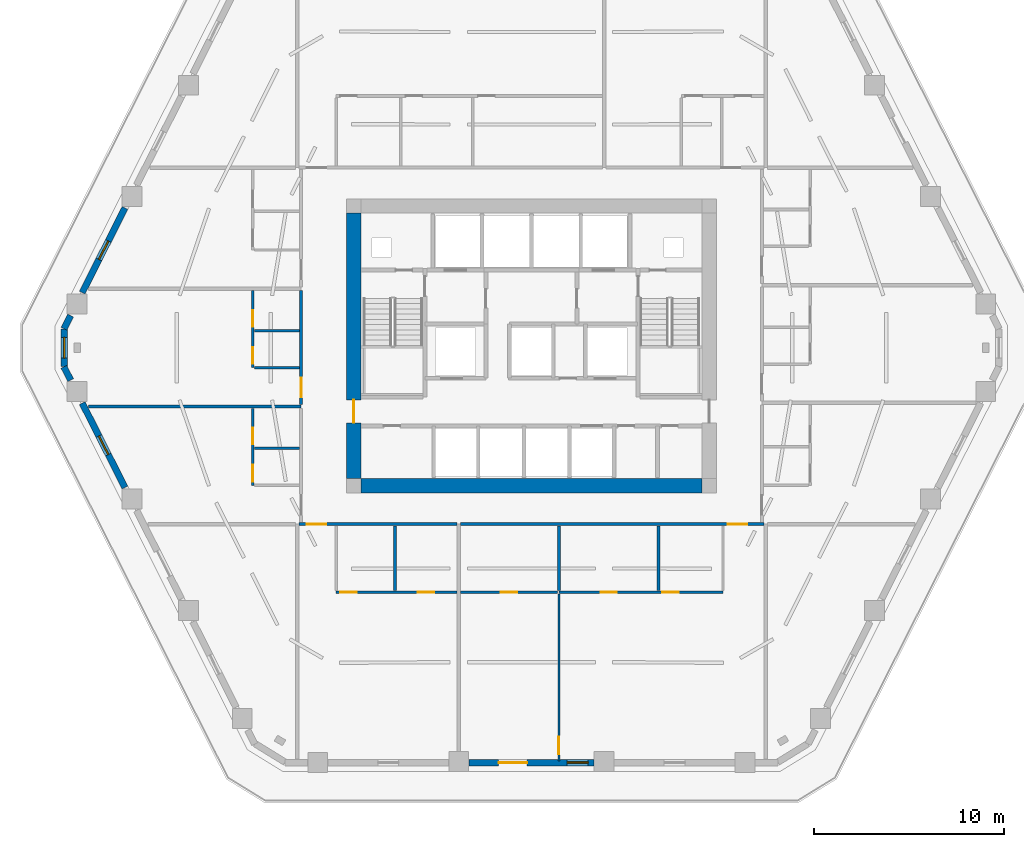
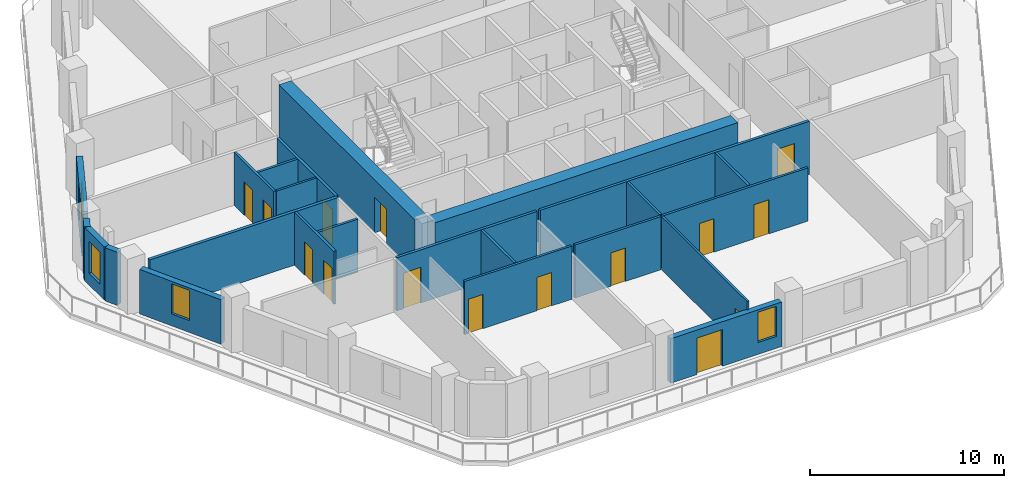
# One storey, part 3 of 10: 24 walls, 15 doors, 4 windows, 19 openings.
"""IFC4 building model written with IfcOpenShell, lengths in metres."""

from ifc_helpers import new_model, si_unit, direction, frame, frame_2d, origin, place, context, subcontext, project, spatial, rectangle, extrude, material, layer, layer_set, type_object, element, fill, save


model = new_model("IFC4")

# Units and contexts
model_context = context("Model", 3, precision=1e-05, world=origin(), true_north=direction((0.0, 1.0)))
body_context = subcontext(model_context, "Body", "Model", "MODEL_VIEW")
ifc_project = project(units=[si_unit("LENGTHUNIT", "METRE"), si_unit("AREAUNIT", "SQUARE_METRE"), si_unit("VOLUMEUNIT", "CUBIC_METRE"), si_unit("PLANEANGLEUNIT", "RADIAN"), si_unit("MASSUNIT", "GRAM", prefix="KILO")], contexts=[model_context])

# Site, building, storey
site_placement = place(None, origin())
site = spatial("IfcSite", under=ifc_project, at=site_placement, CompositionType="ELEMENT")
building_placement = place(site_placement, origin())
building = spatial("IfcBuilding", under=site, at=building_placement, Name="Cinnabar Lancet Tower", CompositionType="ELEMENT")
storey_placement = place(building_placement, frame((0.0, 0.0, 98.39990234375)))
storey = spatial("IfcBuildingStorey", under=building, at=storey_placement, Name="L25", CompositionType="ELEMENT", Elevation=98.39990234375)

# Wall, opening, door
ifc_material_1 = material(Name="Acoustic twin-stud gypsum partition", Category="gypsum")
ifc_layer_1 = layer(ifc_material_1, 0.159912109375)
ifc_layer_set_1 = layer_set([ifc_layer_1], Name="Acoustic twin-stud gypsum partition")
wall_type_1 = type_object("IfcWallType", Name="ARC-WL-CORR-160", PredefinedType="PARTITIONING", material=ifc_layer_set_1)
wall_1_placement = place(storey_placement, frame((20.14501953125, 16.5, 0.0), z_axis=(0.0, 0.0, 1.0), x_axis=(1.0, 0.0, 0.0)))
wall_1 = element("IfcWall", 1, at=wall_1_placement, inside=storey, type_object=wall_type_1, Name="L25 Unit S01 Corridor Wall", PredefinedType="PARTITIONING", context=body_context, shape_type="SweptSolid", body=[
    extrude(rectangle(XDim=8.327880859375, YDim=0.159912109375, at=frame_2d((4.1640625, 0.0))), origin(), (0.0, 0.0, 1.0), 3.340087890625),
])
opening_1_placement = place(wall_1_placement, frame((0.405029296875, 0.0, 0.0)))
opening_1 = element("IfcOpeningElement", 2, at=opening_1_placement, cuts=wall_1, Name="Opening UD-01", PredefinedType="OPENING", context=body_context, shape_type="SweptSolid", body=[
    extrude(rectangle(XDim=1.02001953125, YDim=2.25, at=frame_2d((0.510009765625, 1.125))), frame((0.0, 0.08984375, 0.0), z_axis=(0.0, -1.0, 0.0), x_axis=(1.0, 0.0, 0.0)), (0.0, 0.0, 1.0), 0.179931640625),
])
ifc_material_2 = material(Name="Solid timber fire-rated apartment entrance door", Category="wood")
door_type_1 = type_object("IfcDoorType", Name="ARC-DR-UNIT", OperationType="NOTDEFINED", PredefinedType="DOOR", material=ifc_material_2)
door_1_placement = place(opening_1_placement, origin())
door_1 = element("IfcDoor", 3, at=door_1_placement, inside=storey, type_object=door_type_1, Name="DR-L25-S01-ENT", OperationType="SINGLE_SWING_RIGHT", OverallHeight=2.25, OverallWidth=1.02001953125, PredefinedType="DOOR", context=body_context, shape_type="SweptSolid", body=[
    extrude(rectangle(XDim=1.02001953125, YDim=2.25, at=frame_2d((0.510009765625, 1.125))), frame((0.0, 0.02490234375, 0.0), z_axis=(0.0, -1.0, 0.0), x_axis=(1.0, 0.0, 0.0)), (0.0, 0.0, 1.0), 0.050048828125),
])
fill(opening_1, door_1)

wall_2_placement = place(storey_placement, frame((28.6630859375, 16.5, 0.0), z_axis=(0.0, 0.0, 1.0), x_axis=(1.0, 0.0, 0.0)))
wall_2 = element("IfcWall", 4, at=wall_2_placement, inside=storey, type_object=wall_type_1, Name="L25 Unit S02 Corridor Wall", PredefinedType="PARTITIONING", context=body_context, shape_type="SweptSolid", body=[
    extrude(rectangle(XDim=15.991943359375, YDim=0.159912109375, at=frame_2d((7.99609375, 0.0))), origin(), (0.0, 0.0, 1.0), 3.340087890625),
])
opening_2_placement = place(wall_2_placement, frame((14.0869140625, 0.0, 0.0)))
opening_2 = element("IfcOpeningElement", 5, at=opening_2_placement, cuts=wall_2, Name="Opening UD-01", PredefinedType="OPENING", context=body_context, shape_type="SweptSolid", body=[
    extrude(rectangle(XDim=1.02001953125, YDim=2.25, at=frame_2d((0.510009765625, 1.125))), frame((0.0, 0.08984375, 0.0), z_axis=(0.0, -1.0, 0.0), x_axis=(1.0, 0.0, 0.0)), (0.0, 0.0, 1.0), 0.179931640625),
])
door_2_placement = place(opening_2_placement, origin())
door_2 = element("IfcDoor", 6, at=door_2_placement, inside=storey, type_object=door_type_1, Name="DR-L25-S02-ENT", OperationType="SINGLE_SWING_LEFT", OverallHeight=2.25, OverallWidth=1.02001953125, PredefinedType="DOOR", context=body_context, shape_type="SweptSolid", body=[
    extrude(rectangle(XDim=1.02001953125, YDim=2.25, at=frame_2d((0.510009765625, 1.125))), frame((0.0, 0.02490234375, 0.0), z_axis=(0.0, -1.0, 0.0), x_axis=(1.0, 0.0, 0.0)), (0.0, 0.0, 1.0), 0.050048828125),
])
fill(opening_2, door_2)

wall_3_placement = place(storey_placement, frame((20.25, 22.799072265625, 0.0), z_axis=(0.0, 0.0, 1.0), x_axis=(0.0, 1.0, 0.0)))
wall_3 = element("IfcWall", 7, at=wall_3_placement, inside=storey, type_object=wall_type_1, Name="UW-L25-W02-COR", PredefinedType="PARTITIONING", context=body_context, shape_type="SweptSolid", body=[
    extrude(rectangle(XDim=6.013916015625, YDim=0.159912109375, at=frame_2d((3.0068359375, 0.0))), origin(), (0.0, 0.0, 1.0), 3.340087890625),
])
opening_3_placement = place(wall_3_placement, frame((0.39990234375, 0.0, 0.0)))
opening_3 = element("IfcOpeningElement", 8, at=opening_3_placement, cuts=wall_3, Name="Opening UD-01", PredefinedType="OPENING", context=body_context, shape_type="SweptSolid", body=[
    extrude(rectangle(XDim=1.02001953125, YDim=2.25, at=frame_2d((0.510009765625, 1.125))), frame((0.0, 0.08984375, 0.0), z_axis=(0.0, -1.0, 0.0), x_axis=(1.0, 0.0, 0.0)), (0.0, 0.0, 1.0), 0.179931640625),
])
door_3_placement = place(opening_3_placement, origin())
door_3 = element("IfcDoor", 9, at=door_3_placement, inside=storey, type_object=door_type_1, Name="DR-L25-W02-ENT", OperationType="SINGLE_SWING_LEFT", OverallHeight=2.25, OverallWidth=1.02001953125, PredefinedType="DOOR", context=body_context, shape_type="SweptSolid", body=[
    extrude(rectangle(XDim=1.02001953125, YDim=2.25, at=frame_2d((0.510009765625, 1.125))), frame((0.0, 0.02490234375, 0.0), z_axis=(0.0, -1.0, 0.0), x_axis=(1.0, 0.0, 0.0)), (0.0, 0.0, 1.0), 0.050048828125),
])
fill(opening_3, door_3)

# Wall
ifc_material_3 = material(Name="Fire-rated twin-frame acoustic drywall", Category="gypsum")
ifc_layer_2 = layer(ifc_material_3, 0.179931640625)
ifc_layer_set_2 = layer_set([ifc_layer_2], Name="Fire-rated twin-frame acoustic drywall")
wall_type_2 = type_object("IfcWallType", Name="ARC-WL-PARTY-180", PredefinedType="PARTITIONING", material=ifc_layer_set_2)
wall_4_placement = place(storey_placement, frame((9.0458984375, 22.7041015625, 0.0), z_axis=(0.0, 0.0, 1.0), x_axis=(1.0, 0.0, 0.0)))
element("IfcWall", 10, at=wall_4_placement, inside=storey, type_object=wall_type_2, Name="PW-L25-WPTY-1", PredefinedType="PARTITIONING", context=body_context, shape_type="SweptSolid", body=[
    extrude(rectangle(XDim=11.2041015625, YDim=0.179931640625, at=frame_2d((5.60205078125, 0.0))), origin(), (0.0, 0.0, 1.0), 3.340087890625),
])

# Wall, opening, door
ifc_material_4 = material(Name="Gypsum plasterboard stud partition", Category="gypsum")
ifc_layer_3 = layer(ifc_material_4, 0.125)
ifc_layer_set_3 = layer_set([ifc_layer_3], Name="Gypsum plasterboard stud partition")
wall_type_3 = type_object("IfcWallType", Name="ARC-WL-UNIT-125", PredefinedType="PARTITIONING", material=ifc_layer_set_3)
wall_5_placement = place(storey_placement, frame((33.85009765625, 4.014892578125, 0.0), z_axis=(0.0, 0.0, 1.0), x_axis=(0.0, 1.0, 0.0)))
wall_5 = element("IfcWall", 11, at=wall_5_placement, inside=storey, type_object=wall_type_3, Name="UW-L25-S02-MBW", PredefinedType="PARTITIONING", context=body_context, shape_type="SweptSolid", body=[
    extrude(rectangle(XDim=8.815185546875, YDim=0.125, at=frame_2d((4.40771484375, 0.0))), origin(), (0.0, 0.0, 1.0), 3.340087890625),
])
opening_4_placement = place(wall_5_placement, frame((0.35009765625, 0.0, 0.0)))
opening_4 = element("IfcOpeningElement", 12, at=opening_4_placement, cuts=wall_5, Name="Opening RD-01", PredefinedType="OPENING", context=body_context, shape_type="SweptSolid", body=[
    extrude(rectangle(XDim=0.919921875, YDim=2.14990234375, at=frame_2d((0.4599609375, 1.074951171875))), frame((0.0, 0.072509765625, 0.0), z_axis=(0.0, -1.0, 0.0), x_axis=(1.0, 0.0, 0.0)), (0.0, 0.0, 1.0), 0.14501953125),
])
ifc_material_5 = material(Name="Engineered timber bedroom door", Category="wood")
door_type_2 = type_object("IfcDoorType", Name="ARC-DR-ROOM", OperationType="NOTDEFINED", PredefinedType="DOOR", material=ifc_material_5)
door_4_placement = place(opening_4_placement, origin())
door_4 = element("IfcDoor", 13, at=door_4_placement, inside=storey, type_object=door_type_2, Name="DR-L25-S02-MBD", OperationType="SINGLE_SWING_RIGHT", OverallHeight=2.14990234375, OverallWidth=0.919921875, PredefinedType="DOOR", context=body_context, shape_type="SweptSolid", body=[
    extrude(rectangle(XDim=0.919921875, YDim=2.14990234375, at=frame_2d((0.4599609375, 1.074951171875))), frame((0.0, 0.02490234375, 0.0), z_axis=(0.0, -1.0, 0.0), x_axis=(1.0, 0.0, 0.0)), (0.0, 0.0, 1.0), 0.050048828125),
])
fill(opening_4, door_4)

# Wall
wall_6_placement = place(storey_placement, frame((17.784912109375, 24.75390625, 0.0), z_axis=(0.0, 0.0, 1.0), x_axis=(1.0, 0.0, 0.0)))
element("IfcWall", 14, at=wall_6_placement, inside=storey, type_object=wall_type_3, Name="UW-L25-W02-FOYN", PredefinedType="PARTITIONING", context=body_context, shape_type="SweptSolid", body=[
    extrude(rectangle(XDim=2.380126953125, YDim=0.125, at=frame_2d((1.18994140625, 0.0))), origin(), (0.0, 0.0, 1.0), 3.340087890625),
])

# Wall, openings, doors
ifc_material_6 = material(Name="Moisture-resistant cement-board plumbing wall", Category="masonry")
ifc_layer_4 = layer(ifc_material_6, 0.139892578125)
ifc_layer_set_4 = layer_set([ifc_layer_4], Name="Moisture-resistant cement-board plumbing wall")
wall_type_4 = type_object("IfcWallType", Name="ARC-WL-WET-140", PredefinedType="PLUMBINGWALL", material=ifc_layer_set_4)
wall_7_placement = place(storey_placement, frame((22.10009765625, 12.905029296875, 0.0), z_axis=(0.0, 0.0, 1.0), x_axis=(1.0, 0.0, 0.0)))
wall_7 = element("IfcWall", 15, at=wall_7_placement, inside=storey, type_object=wall_type_4, Name="UW-L25-S01-SPL", PredefinedType="PLUMBINGWALL", context=body_context, shape_type="SweptSolid", body=[
    extrude(rectangle(XDim=6.372802734375, YDim=0.139892578125, at=frame_2d((3.1865234375, 0.0))), origin(), (0.0, 0.0, 1.0), 3.340087890625),
])
opening_5_placement = place(wall_7_placement, frame((4.31396484375, 0.0, 0.0)))
opening_5 = element("IfcOpeningElement", 16, at=opening_5_placement, cuts=wall_7, Name="Opening BD-01", PredefinedType="OPENING", context=body_context, shape_type="SweptSolid", body=[
    extrude(rectangle(XDim=0.860107421875, YDim=2.10009765625, at=frame_2d((0.43017578125, 1.050048828125))), frame((0.0, 0.079833984375, 0.0), z_axis=(0.0, -1.0, 0.0), x_axis=(1.0, 0.0, 0.0)), (0.0, 0.0, 1.0), 0.159912109375),
])
opening_6_placement = place(wall_7_placement, frame((0.219970703125, 0.0, 0.0)))
opening_6 = element("IfcOpeningElement", 17, at=opening_6_placement, cuts=wall_7, Name="Opening RD-02", PredefinedType="OPENING", context=body_context, shape_type="SweptSolid", body=[
    extrude(rectangle(XDim=0.8798828125, YDim=2.14990234375, at=frame_2d((0.43994140625, 1.074951171875))), frame((0.0, 0.079833984375, 0.0), z_axis=(0.0, -1.0, 0.0), x_axis=(1.0, 0.0, 0.0)), (0.0, 0.0, 1.0), 0.159912109375),
])
ifc_material_7 = material(Name="Moisture-resistant timber bathroom door", Category="wood")
door_type_3 = type_object("IfcDoorType", Name="ARC-DR-BATH", OperationType="NOTDEFINED", PredefinedType="DOOR", material=ifc_material_7)
door_5_placement = place(opening_5_placement, origin())
door_5 = element("IfcDoor", 18, at=door_5_placement, inside=storey, type_object=door_type_3, Name="DR-L25-S01-BTH", OperationType="SINGLE_SWING_RIGHT", OverallHeight=2.10009765625, OverallWidth=0.860107421875, PredefinedType="DOOR", context=body_context, shape_type="SweptSolid", body=[
    extrude(rectangle(XDim=0.860107421875, YDim=2.10009765625, at=frame_2d((0.43017578125, 1.050048828125))), frame((0.0, 0.02490234375, 0.0), z_axis=(0.0, -1.0, 0.0), x_axis=(1.0, 0.0, 0.0)), (0.0, 0.0, 1.0), 0.050048828125),
])
fill(opening_5, door_5)
ifc_material_8 = material(Name="Engineered timber study door", Category="wood")
door_type_4 = type_object("IfcDoorType", Name="ARC-DR-STUDY", OperationType="NOTDEFINED", PredefinedType="DOOR", material=ifc_material_8)
door_6_placement = place(opening_6_placement, origin())
door_6 = element("IfcDoor", 19, at=door_6_placement, inside=storey, type_object=door_type_4, Name="DR-L25-S01-KIT", OperationType="SINGLE_SWING_LEFT", OverallHeight=2.14990234375, OverallWidth=0.8798828125, PredefinedType="DOOR", context=body_context, shape_type="SweptSolid", body=[
    extrude(rectangle(XDim=0.8798828125, YDim=2.14990234375, at=frame_2d((0.43994140625, 1.074951171875))), frame((0.0, 0.02490234375, 0.0), z_axis=(0.0, -1.0, 0.0), x_axis=(1.0, 0.0, 0.0)), (0.0, 0.0, 1.0), 0.050048828125),
])
fill(opening_6, door_6)

# Wall
wall_8_placement = place(storey_placement, frame((25.205078125, 13.010009765625, 0.0), z_axis=(0.0, 0.0, 1.0), x_axis=(0.0, 1.0, 0.0)))
element("IfcWall", 20, at=wall_8_placement, inside=storey, type_object=wall_type_4, Name="UW-L25-S01-KDV", PredefinedType="PLUMBINGWALL", context=body_context, shape_type="SweptSolid", body=[
    extrude(rectangle(XDim=3.405029296875, YDim=0.139892578125, at=frame_2d((1.70263671875, 0.0))), origin(), (0.0, 0.0, 1.0), 3.340087890625),
])

# Wall, openings, doors
wall_9_placement = place(storey_placement, frame((33.85009765625, 12.905029296875, 0.0), z_axis=(0.0, 0.0, 1.0), x_axis=(1.0, 0.0, 0.0)))
wall_9 = element("IfcWall", 21, at=wall_9_placement, inside=storey, type_object=wall_type_4, Name="UW-L25-S02-SPL", PredefinedType="PLUMBINGWALL", context=body_context, shape_type="SweptSolid", body=[
    extrude(rectangle(XDim=8.64990234375, YDim=0.139892578125, at=frame_2d((4.324951171875, 0.0))), origin(), (0.0, 0.0, 1.0), 3.340087890625),
])
opening_7_placement = place(wall_9_placement, frame((2.199951171875, 0.0, 0.0)))
opening_7 = element("IfcOpeningElement", 22, at=opening_7_placement, cuts=wall_9, Name="Opening BD-01", PredefinedType="OPENING", context=body_context, shape_type="SweptSolid", body=[
    extrude(rectangle(XDim=0.860107421875, YDim=2.10009765625, at=frame_2d((0.43017578125, 1.050048828125))), frame((0.0, 0.079833984375, 0.0), z_axis=(0.0, -1.0, 0.0), x_axis=(1.0, 0.0, 0.0)), (0.0, 0.0, 1.0), 0.159912109375),
])
opening_8_placement = place(wall_9_placement, frame((5.449951171875, 0.0, 0.0)))
opening_8 = element("IfcOpeningElement", 23, at=opening_8_placement, cuts=wall_9, Name="Opening RD-02", PredefinedType="OPENING", context=body_context, shape_type="SweptSolid", body=[
    extrude(rectangle(XDim=0.8798828125, YDim=2.14990234375, at=frame_2d((0.43994140625, 1.074951171875))), frame((0.0, 0.079833984375, 0.0), z_axis=(0.0, -1.0, 0.0), x_axis=(1.0, 0.0, 0.0)), (0.0, 0.0, 1.0), 0.159912109375),
])
door_7_placement = place(opening_7_placement, origin())
door_7 = element("IfcDoor", 24, at=door_7_placement, inside=storey, type_object=door_type_3, Name="DR-L25-S02-BTH", OperationType="SINGLE_SWING_RIGHT", OverallHeight=2.10009765625, OverallWidth=0.860107421875, PredefinedType="DOOR", context=body_context, shape_type="SweptSolid", body=[
    extrude(rectangle(XDim=0.860107421875, YDim=2.10009765625, at=frame_2d((0.43017578125, 1.050048828125))), frame((0.0, 0.02490234375, 0.0), z_axis=(0.0, -1.0, 0.0), x_axis=(1.0, 0.0, 0.0)), (0.0, 0.0, 1.0), 0.050048828125),
])
fill(opening_7, door_7)
door_8_placement = place(opening_8_placement, origin())
door_8 = element("IfcDoor", 25, at=door_8_placement, inside=storey, type_object=door_type_4, Name="DR-L25-S02-KIT", OperationType="SINGLE_SWING_LEFT", OverallHeight=2.14990234375, OverallWidth=0.8798828125, PredefinedType="DOOR", context=body_context, shape_type="SweptSolid", body=[
    extrude(rectangle(XDim=0.8798828125, YDim=2.14990234375, at=frame_2d((0.43994140625, 1.074951171875))), frame((0.0, 0.02490234375, 0.0), z_axis=(0.0, -1.0, 0.0), x_axis=(1.0, 0.0, 0.0)), (0.0, 0.0, 1.0), 0.050048828125),
])
fill(opening_8, door_8)

# Wall, opening, door
wall_10_placement = place(storey_placement, frame((28.6630859375, 12.905029296875, 0.0), z_axis=(0.0, 0.0, 1.0), x_axis=(1.0, 0.0, 0.0)))
wall_10 = element("IfcWall", 26, at=wall_10_placement, inside=storey, type_object=wall_type_4, Name="UW-L25-S02-SPM", PredefinedType="PLUMBINGWALL", context=body_context, shape_type="SweptSolid", body=[
    extrude(rectangle(XDim=5.11181640625, YDim=0.139892578125, at=frame_2d((2.555908203125, 0.0))), origin(), (0.0, 0.0, 1.0), 3.340087890625),
])
opening_9_placement = place(wall_10_placement, frame((2.131103515625, 0.0, 0.0)))
opening_9 = element("IfcOpeningElement", 27, at=opening_9_placement, cuts=wall_10, Name="Opening BD-01", PredefinedType="OPENING", context=body_context, shape_type="SweptSolid", body=[
    extrude(rectangle(XDim=0.860107421875, YDim=2.10009765625, at=frame_2d((0.43017578125, 1.050048828125))), frame((0.0, 0.079833984375, 0.0), z_axis=(0.0, -1.0, 0.0), x_axis=(1.0, 0.0, 0.0)), (0.0, 0.0, 1.0), 0.159912109375),
])
door_9_placement = place(opening_9_placement, origin())
door_9 = element("IfcDoor", 28, at=door_9_placement, inside=storey, type_object=door_type_3, Name="DR-L25-S02-ENS", OperationType="SINGLE_SWING_LEFT", OverallHeight=2.10009765625, OverallWidth=0.860107421875, PredefinedType="DOOR", context=body_context, shape_type="SweptSolid", body=[
    extrude(rectangle(XDim=0.860107421875, YDim=2.10009765625, at=frame_2d((0.43017578125, 1.050048828125))), frame((0.0, 0.02490234375, 0.0), z_axis=(0.0, -1.0, 0.0), x_axis=(1.0, 0.0, 0.0)), (0.0, 0.0, 1.0), 0.050048828125),
])
fill(opening_9, door_9)

# Walls
for number, where, z_axis, x_axis, name in (
    (29, (39.10009765625, 13.010009765625, 0.0), (0.0, 0.0, 1.0), (0.0, 1.0, 0.0), "UW-L25-S02-KBD"),
    (30, (33.85009765625, 13.010009765625, 0.0), (0.0, 0.0, 1.0), (0.0, 1.0, 0.0), "UW-L25-S02-ENSW"),
):
    element("IfcWall", number, at=place(storey_placement, frame(where, z_axis=z_axis, x_axis=x_axis)), inside=storey, type_object=wall_type_4, Name=name, PredefinedType="PLUMBINGWALL", context=body_context, shape_type="SweptSolid", body=[
        extrude(rectangle(XDim=3.405029296875, YDim=0.139892578125, at=frame_2d((1.70263671875, 0.0))), origin(), (0.0, 0.0, 1.0), 3.340087890625),
    ])

# Wall, openings, doors
wall_11_placement = place(storey_placement, frame((17.699951171875, 18.550048828125, 0.0), z_axis=(0.0, 0.0, 1.0), x_axis=(0.0, 1.0, 0.0)))
wall_11 = element("IfcWall", 31, at=wall_11_placement, inside=storey, type_object=wall_type_4, Name="UW-L25-W01-SPL", PredefinedType="PLUMBINGWALL", context=body_context, shape_type="SweptSolid", body=[
    extrude(rectangle(XDim=4.058837890625, YDim=0.139892578125, at=frame_2d((2.029296875, 0.0))), origin(), (0.0, 0.0, 1.0), 3.340087890625),
])
opening_10_placement = place(wall_11_placement, frame((2.16796875, 0.0, 0.0)))
opening_10 = element("IfcOpeningElement", 32, at=opening_10_placement, cuts=wall_11, Name="Opening BD-01", PredefinedType="OPENING", context=body_context, shape_type="SweptSolid", body=[
    extrude(rectangle(XDim=0.860107421875, YDim=2.10009765625, at=frame_2d((0.43017578125, 1.050048828125))), frame((0.0, 0.079833984375, 0.0), z_axis=(0.0, -1.0, 0.0), x_axis=(1.0, 0.0, 0.0)), (0.0, 0.0, 1.0), 0.159912109375),
])
opening_11_placement = place(wall_11_placement, frame((0.199951171875, 0.0, 0.0)))
opening_11 = element("IfcOpeningElement", 33, at=opening_11_placement, cuts=wall_11, Name="Opening RD-02", PredefinedType="OPENING", context=body_context, shape_type="SweptSolid", body=[
    extrude(rectangle(XDim=0.8798828125, YDim=2.14990234375, at=frame_2d((0.43994140625, 1.074951171875))), frame((0.0, 0.079833984375, 0.0), z_axis=(0.0, -1.0, 0.0), x_axis=(1.0, 0.0, 0.0)), (0.0, 0.0, 1.0), 0.159912109375),
])
door_10_placement = place(opening_10_placement, origin())
door_10 = element("IfcDoor", 34, at=door_10_placement, inside=storey, type_object=door_type_3, Name="DR-L25-W01-BTH", OperationType="SINGLE_SWING_RIGHT", OverallHeight=2.10009765625, OverallWidth=0.860107421875, PredefinedType="DOOR", context=body_context, shape_type="SweptSolid", body=[
    extrude(rectangle(XDim=0.860107421875, YDim=2.10009765625, at=frame_2d((0.43017578125, 1.050048828125))), frame((0.0, 0.02490234375, 0.0), z_axis=(0.0, -1.0, 0.0), x_axis=(1.0, 0.0, 0.0)), (0.0, 0.0, 1.0), 0.050048828125),
])
fill(opening_10, door_10)
door_11_placement = place(opening_11_placement, origin())
door_11 = element("IfcDoor", 35, at=door_11_placement, inside=storey, type_object=door_type_4, Name="DR-L25-W01-KIT", OperationType="SINGLE_SWING_LEFT", OverallHeight=2.14990234375, OverallWidth=0.8798828125, PredefinedType="DOOR", context=body_context, shape_type="SweptSolid", body=[
    extrude(rectangle(XDim=0.8798828125, YDim=2.14990234375, at=frame_2d((0.43994140625, 1.074951171875))), frame((0.0, 0.02490234375, 0.0), z_axis=(0.0, -1.0, 0.0), x_axis=(1.0, 0.0, 0.0)), (0.0, 0.0, 1.0), 0.050048828125),
])
fill(opening_11, door_11)

# Wall
wall_12_placement = place(storey_placement, frame((17.784912109375, 20.498046875, 0.0), z_axis=(0.0, 0.0, 1.0), x_axis=(1.0, 0.0, 0.0)))
element("IfcWall", 36, at=wall_12_placement, inside=storey, type_object=wall_type_4, Name="UW-L25-W01-KDV", PredefinedType="PLUMBINGWALL", context=body_context, shape_type="SweptSolid", body=[
    extrude(rectangle(XDim=2.380126953125, YDim=0.139892578125, at=frame_2d((1.18994140625, 0.0))), origin(), (0.0, 0.0, 1.0), 3.340087890625),
])

# Wall, openings, doors
wall_13_placement = place(storey_placement, frame((17.699951171875, 24.75390625, 0.0), z_axis=(0.0, 0.0, 1.0), x_axis=(0.0, 1.0, 0.0)))
wall_13 = element("IfcWall", 37, at=wall_13_placement, inside=storey, type_object=wall_type_4, Name="UW-L25-W02-SPL", PredefinedType="PLUMBINGWALL", context=body_context, shape_type="SweptSolid", body=[
    extrude(rectangle(XDim=4.05908203125, YDim=0.139892578125, at=frame_2d((2.029541015625, 0.0))), origin(), (0.0, 0.0, 1.0), 3.340087890625),
])
opening_12_placement = place(wall_13_placement, frame((2.16796875, 0.0, 0.0)))
opening_12 = element("IfcOpeningElement", 38, at=opening_12_placement, cuts=wall_13, Name="Opening BD-01", PredefinedType="OPENING", context=body_context, shape_type="SweptSolid", body=[
    extrude(rectangle(XDim=0.860107421875, YDim=2.10009765625, at=frame_2d((0.43017578125, 1.050048828125))), frame((0.0, 0.079833984375, 0.0), z_axis=(0.0, -1.0, 0.0), x_axis=(1.0, 0.0, 0.0)), (0.0, 0.0, 1.0), 0.159912109375),
])
opening_13_placement = place(wall_13_placement, frame((0.199951171875, 0.0, 0.0)))
opening_13 = element("IfcOpeningElement", 39, at=opening_13_placement, cuts=wall_13, Name="Opening RD-02", PredefinedType="OPENING", context=body_context, shape_type="SweptSolid", body=[
    extrude(rectangle(XDim=0.8798828125, YDim=2.14990234375, at=frame_2d((0.43994140625, 1.074951171875))), frame((0.0, 0.079833984375, 0.0), z_axis=(0.0, -1.0, 0.0), x_axis=(1.0, 0.0, 0.0)), (0.0, 0.0, 1.0), 0.159912109375),
])
door_12_placement = place(opening_12_placement, origin())
door_12 = element("IfcDoor", 40, at=door_12_placement, inside=storey, type_object=door_type_3, Name="DR-L25-W02-BTH", OperationType="SINGLE_SWING_LEFT", OverallHeight=2.10009765625, OverallWidth=0.860107421875, PredefinedType="DOOR", context=body_context, shape_type="SweptSolid", body=[
    extrude(rectangle(XDim=0.860107421875, YDim=2.10009765625, at=frame_2d((0.43017578125, 1.050048828125))), frame((0.0, 0.02490234375, 0.0), z_axis=(0.0, -1.0, 0.0), x_axis=(1.0, 0.0, 0.0)), (0.0, 0.0, 1.0), 0.050048828125),
])
fill(opening_12, door_12)
door_13_placement = place(opening_13_placement, origin())
door_13 = element("IfcDoor", 41, at=door_13_placement, inside=storey, type_object=door_type_4, Name="DR-L25-W02-KIT", OperationType="SINGLE_SWING_RIGHT", OverallHeight=2.14990234375, OverallWidth=0.8798828125, PredefinedType="DOOR", context=body_context, shape_type="SweptSolid", body=[
    extrude(rectangle(XDim=0.8798828125, YDim=2.14990234375, at=frame_2d((0.43994140625, 1.074951171875))), frame((0.0, 0.02490234375, 0.0), z_axis=(0.0, -1.0, 0.0), x_axis=(1.0, 0.0, 0.0)), (0.0, 0.0, 1.0), 0.050048828125),
])
fill(opening_13, door_13)

# Wall
wall_14_placement = place(storey_placement, frame((17.784912109375, 26.701904296875, 0.0), z_axis=(0.0, 0.0, 1.0), x_axis=(1.0, 0.0, 0.0)))
element("IfcWall", 42, at=wall_14_placement, inside=storey, type_object=wall_type_4, Name="UW-L25-W02-KDV", PredefinedType="PLUMBINGWALL", context=body_context, shape_type="SweptSolid", body=[
    extrude(rectangle(XDim=2.380126953125, YDim=0.139892578125, at=frame_2d((1.18994140625, 0.0))), origin(), (0.0, 0.0, 1.0), 3.340087890625),
])

# Wall, opening, window
ifc_material_9 = material(Name="Cinnabar red clay brick", Category="masonry")
ifc_layer_5 = layer(ifc_material_9, 0.340087890625)
ifc_layer_set_5 = layer_set([ifc_layer_5], Name="Cinnabar red clay brick")
wall_type_5 = type_object("IfcWallType", Name="ENV-WL-BRK-RED-340", PredefinedType="STANDARD", material=ifc_layer_set_5)
wall_15_placement = place(storey_placement, frame((7.76708984375, 26.797119140625, 0.0), z_axis=(0.0, 0.0, 1.0), x_axis=(0.0, -1.0, 0.0)))
wall_15 = element("IfcWall", 43, at=wall_15_placement, inside=storey, type_object=wall_type_5, Name="L25 Chamfered Corner Brick Pier 6.1", PredefinedType="STANDARD", context=body_context, shape_type="SweptSolid", body=[
    extrude(rectangle(XDim=1.994140625, YDim=0.340087890625, at=frame_2d((0.9970703125, 0.0))), origin(), (0.0, 0.0, 1.0), 3.340087890625),
])
opening_14_placement = place(wall_15_placement, frame((0.447021484375, 0.0, 0.75)))
opening_14 = element("IfcOpeningElement", 44, at=opening_14_placement, cuts=wall_15, Name="Opening WN-04", PredefinedType="OPENING", context=body_context, shape_type="SweptSolid", body=[
    extrude(rectangle(XDim=1.10009765625, YDim=2.0, at=frame_2d((0.550048828125, 1.0))), frame((0.0, 0.179931640625, 0.0), z_axis=(0.0, -1.0, 0.0), x_axis=(1.0, 0.0, 0.0)), (0.0, 0.0, 1.0), 0.360107421875),
])
ifc_material_10 = material(Name="Thermally broken bronze-anodized aluminium tall lancet window", Category="aluminium")
window_type = type_object("IfcWindowType", Name="ENV-WN-LANCET-1100", PartitioningType="SINGLE_PANEL", PredefinedType="WINDOW", material=ifc_material_10)
window_1_placement = place(opening_14_placement, origin())
window_1 = element("IfcWindow", 45, at=window_1_placement, inside=storey, type_object=window_type, Name="L25 Dwelling Gothic Lancet Window 314", OverallHeight=2.0, OverallWidth=1.10009765625, PartitioningType="SINGLE_PANEL", PredefinedType="WINDOW", context=body_context, shape_type="SweptSolid", body=[
    extrude(rectangle(XDim=1.10009765625, YDim=2.0, at=frame_2d((0.550048828125, 1.0))), frame((0.0, 0.030029296875, 0.0), z_axis=(0.0, -1.0, 0.0), x_axis=(1.0, 0.0, 0.0)), (0.0, 0.0, 1.0), 0.06005859375),
])
fill(opening_14, window_1)

# Wall, openings, door, window
wall_16_placement = place(storey_placement, frame((29.096923828125, 3.929931640625, 0.0), z_axis=(0.0, 0.0, 1.0), x_axis=(1.0, 0.0, 0.0)))
wall_16 = element("IfcWall", 46, at=wall_16_placement, inside=storey, type_object=wall_type_5, Name="L25 Face 1 Masonry Bay Wall 3", PredefinedType="STANDARD", context=body_context, shape_type="SweptSolid", body=[
    extrude(rectangle(XDim=6.60595703125, YDim=0.340087890625, at=frame_2d((3.302978515625, 0.0))), origin(), (0.0, 0.0, 1.0), 2.797119140625),
])
opening_15_placement = place(wall_16_placement, frame((1.574951171875, 0.0, 0.0)))
opening_15 = element("IfcOpeningElement", 47, at=opening_15_placement, cuts=wall_16, Name="Opening TD-02", PredefinedType="OPENING", context=body_context, shape_type="SweptSolid", body=[
    extrude(rectangle(XDim=1.5, YDim=2.300048828125, at=frame_2d((0.75, 1.14990234375))), frame((0.0, 0.179931640625, 0.0), z_axis=(0.0, -1.0, 0.0), x_axis=(1.0, 0.0, 0.0)), (0.0, 0.0, 1.0), 0.360107421875),
])
opening_16_placement = place(wall_16_placement, frame((5.18603515625, 0.0, 0.75)))
opening_16 = element("IfcOpeningElement", 48, at=opening_16_placement, cuts=wall_16, Name="Opening WN-04", PredefinedType="OPENING", context=body_context, shape_type="SweptSolid", body=[
    extrude(rectangle(XDim=1.10009765625, YDim=1.89697265625, at=frame_2d((0.550048828125, 0.948486328125))), frame((0.0, 0.179931640625, 0.0), z_axis=(0.0, -1.0, 0.0), x_axis=(1.0, 0.0, 0.0)), (0.0, 0.0, 1.0), 0.360107421875),
])
ifc_material_11 = material(Name="Thermally broken low-E glazed sky-terrace double door", Category="wood")
door_type_5 = type_object("IfcDoorType", Name="ARC-DR-STER", OperationType="NOTDEFINED", PredefinedType="DOOR", material=ifc_material_11)
door_14_placement = place(opening_15_placement, origin())
door_14 = element("IfcDoor", 49, at=door_14_placement, inside=storey, type_object=door_type_5, Name="L25 Face 1 Glazed Terrace Door", OperationType="SINGLE_SWING_RIGHT", OverallHeight=2.300048828125, OverallWidth=1.5, PredefinedType="DOOR", context=body_context, shape_type="SweptSolid", body=[
    extrude(rectangle(XDim=1.5, YDim=2.300048828125, at=frame_2d((0.75, 1.14990234375))), frame((0.0, 0.02490234375, 0.0), z_axis=(0.0, -1.0, 0.0), x_axis=(1.0, 0.0, 0.0)), (0.0, 0.0, 1.0), 0.050048828125),
])
fill(opening_15, door_14)
window_2_placement = place(opening_16_placement, origin())
window_2 = element("IfcWindow", 50, at=window_2_placement, inside=storey, type_object=window_type, Name="L25 Split-Bay Gothic Lancet Window 84", OverallHeight=1.89697265625, OverallWidth=1.10009765625, PartitioningType="SINGLE_PANEL", PredefinedType="WINDOW", context=body_context, shape_type="SweptSolid", body=[
    extrude(rectangle(XDim=1.10009765625, YDim=1.89697265625, at=frame_2d((0.550048828125, 0.948486328125))), frame((0.0, 0.030029296875, 0.0), z_axis=(0.0, -1.0, 0.0), x_axis=(1.0, 0.0, 0.0)), (0.0, 0.0, 1.0), 0.06005859375),
])
fill(opening_16, window_2)

# Wall, opening, window
wall_17_placement = place(storey_placement, frame((10.968017578125, 33.172119140625, 0.0), z_axis=(0.0, 0.0, 1.0), x_axis=(-0.451470533039, -0.892286029139, 0.0)))
wall_17 = element("IfcWall", 51, at=wall_17_placement, inside=storey, type_object=wall_type_5, Name="L25 Face 5 Masonry Bay Wall 4", PredefinedType="STANDARD", context=body_context, shape_type="SweptSolid", body=[
    extrude(rectangle(XDim=4.9951171875, YDim=0.340087890625, at=frame_2d((2.49755859375, 0.0))), origin(), (0.0, 0.0, 1.0), 2.797119140625),
])
opening_17_placement = place(wall_17_placement, frame((1.947021484375, 0.0, 0.75)))
opening_17 = element("IfcOpeningElement", 52, at=opening_17_placement, cuts=wall_17, Name="Opening WN-04", PredefinedType="OPENING", context=body_context, shape_type="SweptSolid", body=[
    extrude(rectangle(XDim=1.10009765625, YDim=1.89697265625, at=frame_2d((0.550048828125, 0.948486328125))), frame((0.0, 0.179931640625, 0.0), z_axis=(0.0, -1.0, 0.0), x_axis=(1.0, 0.0, 0.0)), (0.0, 0.0, 1.0), 0.360107421875),
])
window_3_placement = place(opening_17_placement, origin())
window_3 = element("IfcWindow", 53, at=window_3_placement, inside=storey, type_object=window_type, Name="L25 Face 5 Gothic Lancet Window 4", OverallHeight=1.89697265625, OverallWidth=1.10009765625, PartitioningType="SINGLE_PANEL", PredefinedType="WINDOW", context=body_context, shape_type="SweptSolid", body=[
    extrude(rectangle(XDim=1.10009765625, YDim=1.89697265625, at=frame_2d((0.550048828125, 0.948486328125))), frame((0.0, 0.030029296875, 0.0), z_axis=(0.0, -1.0, 0.0), x_axis=(1.0, 0.0, 0.0)), (0.0, 0.0, 1.0), 0.06005859375),
])
fill(opening_17, window_3)

# Walls
for number, where, z_axis, x_axis, name in (
    (54, (8.10009765625, 27.5029296875, 0.0), (0.0, 0.0, 1.0), (-0.451819324107, -0.89210946546, 0.0), "L25 Face 5 Masonry Bay Wall 5"),
    (55, (7.74609375, 24.7958984375, 0.0), (0.0, 0.0, 1.0), (0.451819324107, -0.89210946546, 0.0), "L25 Face 6 Masonry Bay Wall 1"),
):
    element("IfcWall", number, at=place(storey_placement, frame(where, z_axis=z_axis, x_axis=x_axis)), inside=storey, type_object=wall_type_5, Name=name, PredefinedType="STANDARD", context=body_context, shape_type="SweptSolid", body=[
        extrude(rectangle(XDim=0.783447265625, YDim=0.340087890625, at=frame_2d((0.3916015625, 0.0))), origin(), (0.0, 0.0, 1.0), 3.340087890625),
    ])

# Wall, opening, window
wall_18_placement = place(storey_placement, frame((8.712890625, 22.885009765625, 0.0), z_axis=(0.0, 0.0, 1.0), x_axis=(0.451470533039, -0.892286029139, 0.0)))
wall_18 = element("IfcWall", 56, at=wall_18_placement, inside=storey, type_object=wall_type_5, Name="L25 Face 6 Masonry Bay Wall 2", PredefinedType="STANDARD", context=body_context, shape_type="SweptSolid", body=[
    extrude(rectangle(XDim=4.9951171875, YDim=0.340087890625, at=frame_2d((2.49755859375, 0.0))), origin(), (0.0, 0.0, 1.0), 2.797119140625),
])
opening_18_placement = place(wall_18_placement, frame((1.947021484375, 0.0, 0.75)))
opening_18 = element("IfcOpeningElement", 57, at=opening_18_placement, cuts=wall_18, Name="Opening WN-04", PredefinedType="OPENING", context=body_context, shape_type="SweptSolid", body=[
    extrude(rectangle(XDim=1.10009765625, YDim=1.89697265625, at=frame_2d((0.550048828125, 0.948486328125))), frame((0.0, 0.179931640625, 0.0), z_axis=(0.0, -1.0, 0.0), x_axis=(1.0, 0.0, 0.0)), (0.0, 0.0, 1.0), 0.360107421875),
])
window_4_placement = place(opening_18_placement, origin())
window_4 = element("IfcWindow", 58, at=window_4_placement, inside=storey, type_object=window_type, Name="L25 Face 6 Gothic Lancet Window 2", OverallHeight=1.89697265625, OverallWidth=1.10009765625, PartitioningType="SINGLE_PANEL", PredefinedType="WINDOW", context=body_context, shape_type="SweptSolid", body=[
    extrude(rectangle(XDim=1.10009765625, YDim=1.89697265625, at=frame_2d((0.550048828125, 0.948486328125))), frame((0.0, 0.030029296875, 0.0), z_axis=(0.0, -1.0, 0.0), x_axis=(1.0, 0.0, 0.0)), (0.0, 0.0, 1.0), 0.06005859375),
])
fill(opening_18, window_4)

# Wall
ifc_material_12 = material(Name="Concrete C70/85", Category="concrete")
ifc_layer_6 = layer(ifc_material_12, 0.75)
ifc_layer_set_6 = layer_set([ifc_layer_6], Name="Concrete C70/85")
wall_type_6 = type_object("IfcWallType", Name="STR-WL-CORE-750", PredefinedType="SHEAR", material=ifc_layer_set_6)
wall_19_placement = place(storey_placement, frame((23.39990234375, 18.52490234375, 0.0), z_axis=(0.0, 0.0, 1.0), x_axis=(1.0, 0.0, 0.0)))
element("IfcWall", 59, at=wall_19_placement, inside=storey, type_object=wall_type_6, Name="L25 Core Shear Wall S", PredefinedType="SHEAR", context=body_context, shape_type="SweptSolid", body=[
    extrude(rectangle(XDim=18.0, YDim=0.75, at=frame_2d((9.0, 0.0))), origin(), (0.0, 0.0, 1.0), 3.340087890625),
])

# Wall, opening, door
wall_20_placement = place(storey_placement, frame((23.02490234375, 18.89990234375, 0.0), z_axis=(0.0, 0.0, 1.0), x_axis=(0.0, 1.0, 0.0)))
wall_20 = element("IfcWall", 60, at=wall_20_placement, inside=storey, type_object=wall_type_6, Name="L25 Core Shear Wall W", PredefinedType="SHEAR", context=body_context, shape_type="SweptSolid", body=[
    extrude(rectangle(XDim=14.0, YDim=0.75, at=frame_2d((7.0, 0.0))), origin(), (0.0, 0.0, 1.0), 3.340087890625),
])
opening_19_placement = place(wall_20_placement, frame((2.93994140625, 0.0, 0.0)))
opening_19 = element("IfcOpeningElement", 61, at=opening_19_placement, cuts=wall_20, Name="Opening FD-02", PredefinedType="OPENING", context=body_context, shape_type="SweptSolid", body=[
    extrude(rectangle(XDim=1.219970703125, YDim=2.25, at=frame_2d((0.60986328125, 1.125))), frame((0.0, 0.385009765625, 0.0), z_axis=(0.0, -1.0, 0.0), x_axis=(1.0, 0.0, 0.0)), (0.0, 0.0, 1.0), 0.77001953125),
])
ifc_material_13 = material(Name="Fire-rated double-vision core portal door", Category="wood")
door_type_6 = type_object("IfcDoorType", Name="ARC-DR-CPORT", OperationType="NOTDEFINED", PredefinedType="DOOR", material=ifc_material_13)
door_15_placement = place(opening_19_placement, origin())
door_15 = element("IfcDoor", 62, at=door_15_placement, inside=storey, type_object=door_type_6, Name="L25 West Core Lobby Fire Door", OperationType="SINGLE_SWING_RIGHT", OverallHeight=2.25, OverallWidth=1.219970703125, PredefinedType="DOOR", context=body_context, shape_type="SweptSolid", body=[
    extrude(rectangle(XDim=1.219970703125, YDim=2.25, at=frame_2d((0.60986328125, 1.125))), frame((0.0, 0.02490234375, 0.0), z_axis=(0.0, -1.0, 0.0), x_axis=(1.0, 0.0, 0.0)), (0.0, 0.0, 1.0), 0.050048828125),
])
fill(opening_19, door_15)

save(model, "model.ifc")
